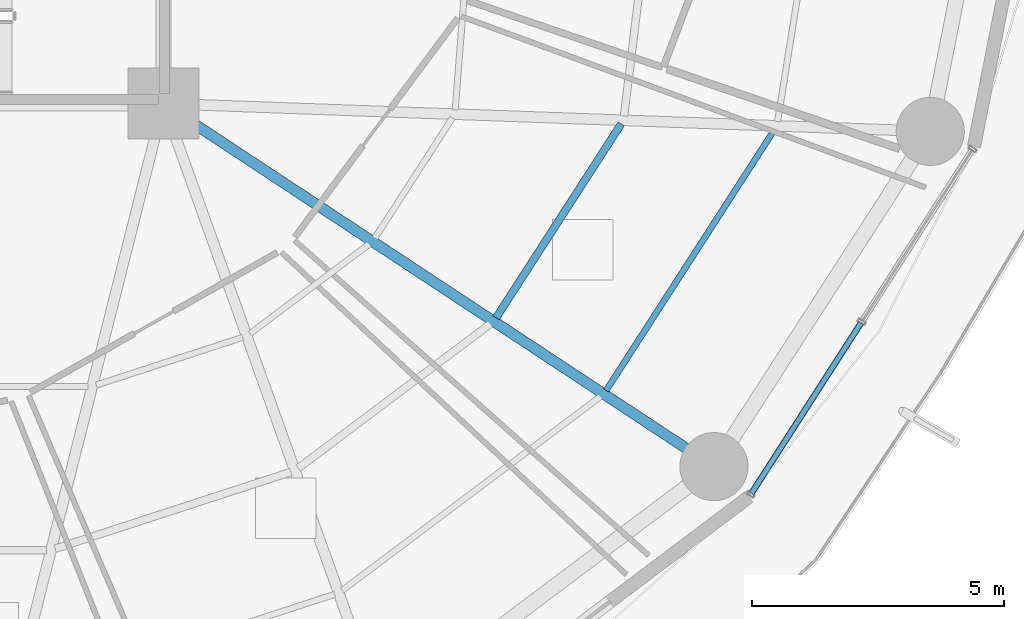
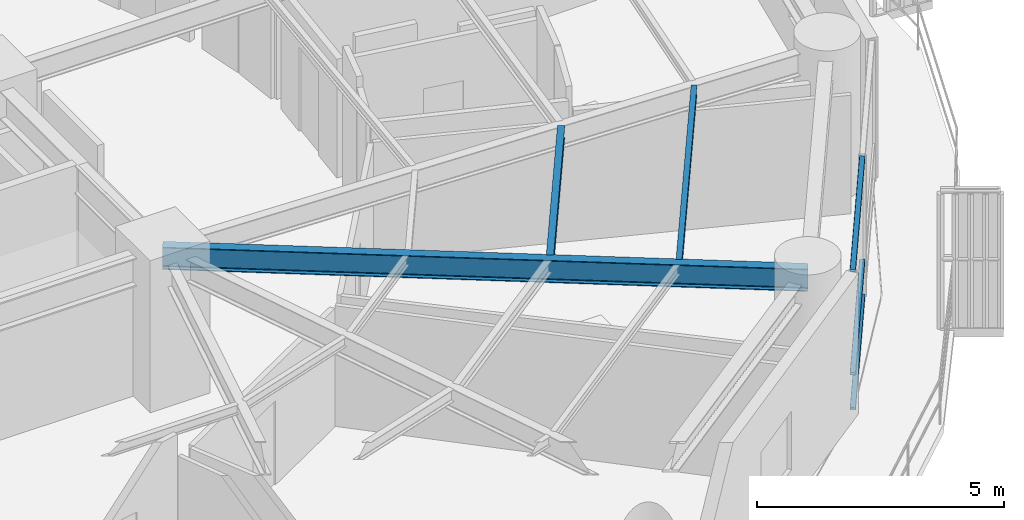
# One storey, part 12 of 35: 3 beams, 3 members, 1 element without a shape of its own.
"""IFC4 building model written with IfcOpenShell, lengths in metres."""

from ifc_helpers import new_model, si_unit, direction, frame, origin, origin_2d, place, context, subcontext, project, spatial, hollow_rectangle, i_section, extrude, material, layer, layer_set, material_profile, profile_set, type_object, element, aggregate, save


model = new_model("IFC4")

# Units and contexts
model_context = context("Model", 3, precision=1e-05, world=origin(), true_north=direction((0.0, 1.0)))
body_context = subcontext(model_context, "Body", "Model", "MODEL_VIEW")
ifc_project = project(units=[si_unit("LENGTHUNIT", "METRE"), si_unit("AREAUNIT", "SQUARE_METRE"), si_unit("VOLUMEUNIT", "CUBIC_METRE"), si_unit("PLANEANGLEUNIT", "RADIAN"), si_unit("MASSUNIT", "GRAM", prefix="KILO")], contexts=[model_context])

# Site, building, storey
site_placement = place(None, origin())
site = spatial("IfcSite", under=ifc_project, at=site_placement, CompositionType="ELEMENT")
building_placement = place(site_placement, origin())
building = spatial("IfcBuilding", under=site, at=building_placement, Name="Kelanora Arch Commons", CompositionType="ELEMENT")
storey_placement = place(building_placement, frame((0.0, 0.0, 91.35009765625)))
storey = spatial("IfcBuildingStorey", under=building, at=storey_placement, Name="L23", CompositionType="ELEMENT", Elevation=91.35009765625)

# Beams
ifc_material_1 = material(Name="Steel S355", Category="steel")
ifc_material_profile_1 = material_profile(ifc_material_1, i_section(OverallWidth=0.14990234375, OverallDepth=0.300048828125, WebThickness=0.007080078125, FlangeThickness=0.0107421875, FilletRadius=0.014892578125, at=origin_2d()), Name="IPE300")
ifc_profile_set_1 = profile_set([ifc_material_profile_1], Name="Steel S355")
beam_type_1 = type_object("IfcBeamType", Name="BM-JST-01", PredefinedType="JOIST", material=ifc_profile_set_1)
beam_1_placement = place(storey_placement, frame((88.589599609375, 46.755615234375, 3.33984375), z_axis=(0.542230243286, 0.840229946661, 0.0), x_axis=(-0.840229946661, 0.542230243286, 0.0)))
element("IfcBeam", 1, at=beam_1_placement, inside=storey, type_object=beam_type_1, Name="Secondary Chord Joist BJB-32 L23", PredefinedType="JOIST", context=body_context, shape_type="SweptSolid", body=[
    extrude(i_section(OverallWidth=0.14990234375, OverallDepth=0.300048828125, WebThickness=0.007080078125, FlangeThickness=0.0107421875, FilletRadius=0.014892578125, at=origin_2d()), origin(), (0.0, 0.0, 1.0), 4.572265625),
])
ifc_material_profile_2 = material_profile(ifc_material_1, i_section(OverallWidth=0.1201171875, OverallDepth=0.239990234375, WebThickness=0.006103515625, FlangeThickness=0.009765625, FilletRadius=0.014892578125, at=origin_2d()), Name="IPE240")
ifc_profile_set_2 = profile_set([ifc_material_profile_2], Name="Steel S355")
beam_type_2 = type_object("IfcBeamType", Name="BM-JST-02", PredefinedType="JOIST", material=ifc_profile_set_2)
beam_2_placement = place(storey_placement, frame((90.77099609375, 45.317138671875, 3.369873046875), z_axis=(0.542212726273, 0.840241250754, 0.0), x_axis=(-0.840241250754, 0.542212726273, 0.0)))
element("IfcBeam", 2, at=beam_2_placement, inside=storey, type_object=beam_type_2, Name="Secondary Chord Joist BJC-32 L23", PredefinedType="JOIST", context=body_context, shape_type="SweptSolid", body=[
    extrude(i_section(OverallWidth=0.1201171875, OverallDepth=0.239990234375, WebThickness=0.006103515625, FlangeThickness=0.009765625, FilletRadius=0.014892578125, at=origin_2d()), origin(), (0.0, 0.0, 1.0), 6.15283203125),
])
ifc_material_profile_3 = material_profile(ifc_material_1, i_section(OverallWidth=0.2099609375, OverallDepth=0.550048828125, WebThickness=0.010986328125, FlangeThickness=0.01708984375, FilletRadius=0.02392578125, at=origin_2d()), Name="IPE550")
ifc_profile_set_3 = profile_set([ifc_material_profile_3], Name="Steel S355")
beam_type_3 = type_object("IfcBeamType", Name="BM-RAD-Z2", PredefinedType="BEAM", material=ifc_profile_set_3)
beam_3_placement = place(storey_placement, frame((82.0, 51.0, 3.21484375), z_axis=(0.834788577908, -0.550570640512, 0.0), x_axis=(0.550570640512, 0.834788577908, 0.0)))
element("IfcBeam", 3, at=beam_3_placement, inside=storey, type_object=beam_type_3, Name="Radial Floor Girder BR-32 L23", PredefinedType="BEAM", context=body_context, shape_type="SweptSolid", body=[
    extrude(i_section(OverallWidth=0.2099609375, OverallDepth=0.550048828125, WebThickness=0.010986328125, FlangeThickness=0.01708984375, FilletRadius=0.02392578125, at=origin_2d()), origin(), (0.0, 0.0, 1.0), 13.064453125),
])

# Curtain wall, members
ifc_material_2 = material(Name="Terracotta ceramic-fritted low-E glass and aluminium", Category="masonry")
ifc_layer = layer(ifc_material_2, 0.159912109375)
ifc_layer_set = layer_set([ifc_layer], Name="Terracotta ceramic-fritted low-E glass and aluminium")
curtain_wall_type = type_object("IfcCurtainWallType", Name="CW-SYS-01", PredefinedType="NOTDEFINED", material=ifc_layer_set)
curtain_wall_placement = place(storey_placement, origin())
curtain_wall = element("IfcCurtainWall", 4, at=curtain_wall_placement, inside=storey, type_object=curtain_wall_type, Name="Unitised Curtain Wall L23-B16", PredefinedType="NOTDEFINED")
ifc_material_3 = material(Name="Powder-coated aluminium terracotta", Category="masonry")
ifc_material_profile_4 = material_profile(ifc_material_3, hollow_rectangle(XDim=0.1201171875, YDim=0.06005859375, WallThickness=0.0048828125, InnerFilletRadius=0.0048828125, OuterFilletRadius=0.010009765625, at=origin_2d()), Name="CWT120x60")
ifc_profile_set_4 = profile_set([ifc_material_profile_4], Name="Powder-coated aluminium terracotta")
member_type = type_object("IfcMemberType", Name="CWT-STD", PredefinedType="USERDEFINED", material=ifc_profile_set_4)
member_1_placement = place(storey_placement, frame((93.651123046875, 43.279052734375, 0.02978515625), z_axis=(0.540643629734, 0.841251725483, 0.0), x_axis=(-0.841251725483, 0.540643629734, 0.0)))
member_1 = element("IfcMember", 5, at=member_1_placement, type_object=member_type, Name="CW-01 transom 1.1", ObjectType="TRANSOM", PredefinedType="USERDEFINED", context=body_context, shape_type="SweptSolid", body=[
    extrude(hollow_rectangle(XDim=0.1201171875, YDim=0.06005859375, WallThickness=0.0048828125, InnerFilletRadius=0.0048828125, OuterFilletRadius=0.010009765625, at=origin_2d()), origin(), (0.0, 0.0, 1.0), 4.00634765625),
])
member_2_placement = place(storey_placement, frame((93.651123046875, 43.279052734375, 0.89990234375), z_axis=(0.540643629734, 0.841251725483, 0.0), x_axis=(-0.841251725483, 0.540643629734, 0.0)))
member_2 = element("IfcMember", 6, at=member_2_placement, type_object=member_type, Name="CW-01 transom 1.2", ObjectType="TRANSOM", PredefinedType="USERDEFINED", context=body_context, shape_type="SweptSolid", body=[
    extrude(hollow_rectangle(XDim=0.1201171875, YDim=0.06005859375, WallThickness=0.0048828125, InnerFilletRadius=0.0048828125, OuterFilletRadius=0.010009765625, at=origin_2d()), origin(), (0.0, 0.0, 1.0), 4.00634765625),
])
member_3_placement = place(storey_placement, frame((93.651123046875, 43.279052734375, 3.44482421875), z_axis=(0.540643629734, 0.841251725483, 0.0), x_axis=(-0.841251725483, 0.540643629734, 0.0)))
member_3 = element("IfcMember", 7, at=member_3_placement, type_object=member_type, Name="CW-01 transom 1.3", ObjectType="TRANSOM", PredefinedType="USERDEFINED", context=body_context, shape_type="SweptSolid", body=[
    extrude(hollow_rectangle(XDim=0.1201171875, YDim=0.06005859375, WallThickness=0.0048828125, InnerFilletRadius=0.0048828125, OuterFilletRadius=0.010009765625, at=origin_2d()), origin(), (0.0, 0.0, 1.0), 4.00634765625),
])
aggregate(curtain_wall, [member_1, member_2, member_3])

save(model, "model.ifc")
